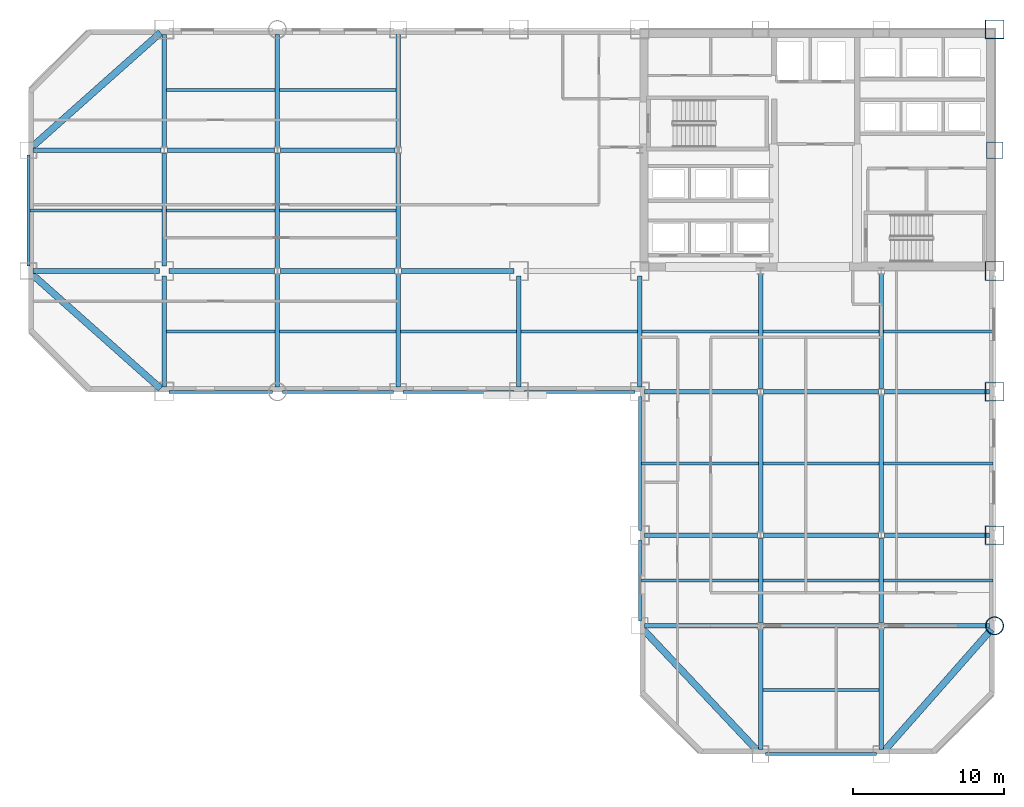
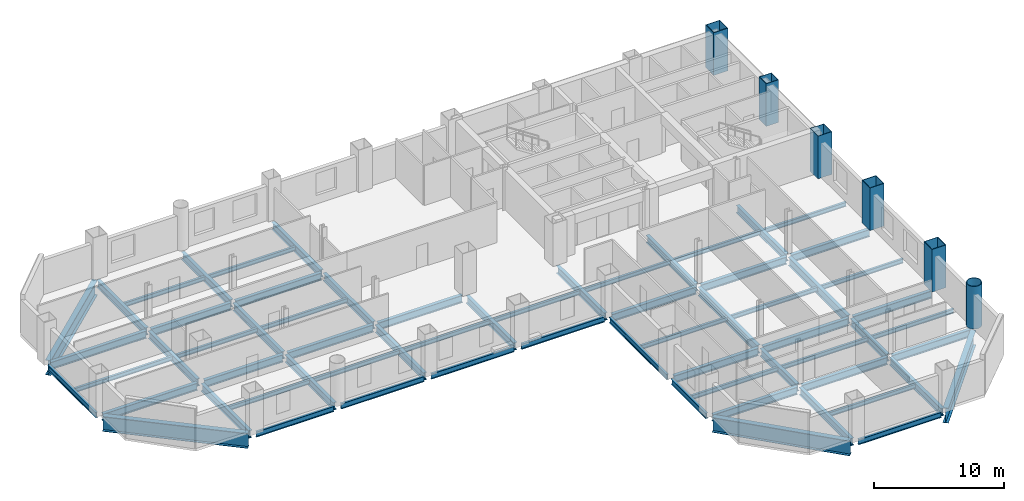
# One storey, part 3 of 9: 66 beams, 6 columns.
"""IFC4 building model written with IfcOpenShell, lengths in metres."""

import ifcopenshell
import ifcopenshell.guid

model = None  # the IFC model being written
_history = None  # IfcOwnerHistory: only IFC2X3 demands one
_inside = {}  # id of a spatial element -> (the spatial element, [elements in it])
_under = {}  # id of a project, library or spatial element -> (it, [spatial elements below it])
_declared = {}  # id of a project -> (the project, [libraries it declares])
_typed = {}  # id of a type object -> (the type object, [elements of that type])
_made_of = {}  # id of a material, layer set ... -> (it, [elements and type objects made of it])


def new_model(schema):
    """Start an empty IFC model of exactly this schema.

    Asked for "IFC4X3", IfcOpenShell would pick the latest addendum, in which some entities
    have other attributes; the version numbers below select the first issue.
    IFC2X3 requires an IfcOwnerHistory on every rooted entity: one is made here for all.
    """
    global model, _history
    if schema == "IFC4X3":
        model = ifcopenshell.file(schema_version=(4, 3, 0, 0))
    else:
        model = ifcopenshell.file(schema=schema)
    _inside.clear()
    _under.clear()
    _declared.clear()
    _typed.clear()
    _made_of.clear()
    _history = None
    if model.schema == "IFC2X3":
        org = make("IfcOrganization", Name="unknown")
        user = make(
            "IfcPersonAndOrganization",
            ThePerson=make("IfcPerson", FamilyName="unknown"),
            TheOrganization=org,
        )
        app = make(
            "IfcApplication",
            ApplicationDeveloper=org,
            Version="unknown",
            ApplicationFullName="unknown",
            ApplicationIdentifier="unknown",
        )
        _history = make(
            "IfcOwnerHistory",
            OwningUser=user,
            OwningApplication=app,
            ChangeAction="ADDED",
            CreationDate=0,
        )
    return model


def make(cls, **values):
    """One entity of the class cls with the attributes given. An attribute that is None is left unset."""
    return model.create_entity(
        cls, **{name: value for name, value in values.items() if value is not None}
    )


def rooted(cls, **values):
    """An entity with a GlobalId (a new one), such as an element, a storey or a relation."""
    return make(cls, GlobalId=ifcopenshell.guid.new(), OwnerHistory=_history, **values)


def si_unit(unit_type, name, prefix=None):
    """IfcSIUnit, for example si_unit("LENGTHUNIT", "METRE", prefix="MILLI")."""
    return make("IfcSIUnit", UnitType=unit_type, Prefix=prefix, Name=name)


def assignment(units):
    """IfcUnitAssignment: the units of a project."""
    return None if units is None else make("IfcUnitAssignment", Units=units)


def point(xyz):
    """IfcCartesianPoint."""
    return None if xyz is None else make("IfcCartesianPoint", Coordinates=xyz)


def direction(xyz):
    """IfcDirection."""
    return None if xyz is None else make("IfcDirection", DirectionRatios=xyz)


def frame(location, z_axis=None, x_axis=None):
    """IfcAxis2Placement3D, a coordinate frame: its origin and axes. An axis left out is left unset."""
    return make(
        "IfcAxis2Placement3D",
        Location=point(location),
        Axis=direction(z_axis),
        RefDirection=direction(x_axis),
    )


def frame_2d(location, x_axis=None):
    """IfcAxis2Placement2D, a coordinate frame in the plane: its origin and x axis."""
    return make(
        "IfcAxis2Placement2D", Location=point(location), RefDirection=direction(x_axis)
    )


def origin():
    """The frame at (0, 0, 0) with its axes left unset."""
    return frame((0.0, 0.0, 0.0))


def origin_2d():
    """The frame at (0, 0) in the plane with its x axis left unset."""
    return frame_2d((0.0, 0.0))


def place(relative_to, where):
    """IfcLocalPlacement: puts the frame where relative to a parent placement (None: the world)."""
    return make(
        "IfcLocalPlacement", PlacementRelTo=relative_to, RelativePlacement=where
    )


def context(
    kind, dimensions, precision=None, world=None, true_north=None, identifier=None
):
    """IfcGeometricRepresentationContext, for example the 3D "Model" context."""
    return make(
        "IfcGeometricRepresentationContext",
        ContextIdentifier=identifier,
        ContextType=kind,
        CoordinateSpaceDimension=dimensions,
        Precision=precision,
        WorldCoordinateSystem=world,
        TrueNorth=true_north,
    )


def subcontext(parent, identifier, kind, view, scale=None):
    """IfcGeometricRepresentationSubContext, for example "Body" below "Model"."""
    return make(
        "IfcGeometricRepresentationSubContext",
        ContextIdentifier=identifier,
        ContextType=kind,
        ParentContext=parent,
        TargetScale=scale,
        TargetView=view,
    )


def project(units=None, contexts=None):
    """IfcProject with its units and contexts."""
    return rooted(
        "IfcProject",
        Name="project",
        RepresentationContexts=contexts,
        UnitsInContext=assignment(units),
    )


def spatial(cls, under=None, at=None, **own):
    """A site, building, storey or space (cls), placed at a placement, below another one or the project."""
    s = rooted(cls, ObjectPlacement=at, **own)
    if under is not None:
        _under.setdefault(under.id(), (under, []))[1].append(s)
    return s


def profile(cls, at=None, kind="AREA", **sizes):
    """A parametric profile (cls). Its sizes go by their IFC names, for example OverallWidth=200.0."""
    return make(cls, ProfileType=kind, Position=at, **sizes)


def hollow_rectangle(**sizes):
    """IfcRectangleHollowProfileDef."""
    return profile("IfcRectangleHollowProfileDef", **sizes)


def hollow_circle(**sizes):
    """IfcCircleHollowProfileDef."""
    return profile("IfcCircleHollowProfileDef", **sizes)


def i_section(**sizes):
    """IfcIShapeProfileDef."""
    return profile("IfcIShapeProfileDef", **sizes)


def extrude(swept, where, along, depth):
    """IfcExtrudedAreaSolid: the profile swept, set in the frame where, extruded along a direction by depth."""
    return make(
        "IfcExtrudedAreaSolid",
        SweptArea=swept,
        Position=where,
        ExtrudedDirection=direction(along),
        Depth=depth,
    )


def shape(context_of_items, identifier, shape_type, items):
    """IfcShapeRepresentation: the items that make up one representation, for example the "Body"."""
    return make(
        "IfcShapeRepresentation",
        ContextOfItems=context_of_items,
        RepresentationIdentifier=identifier,
        RepresentationType=shape_type,
        Items=items,
    )


def material(Name=None, Category=None):
    """IfcMaterial."""
    return make("IfcMaterial", Name=Name, Category=Category)


def material_profile(
    of_material, cross_section, Name=None, Category=None, Priority=None
):
    """IfcMaterialProfile: a cross section and its material."""
    return make(
        "IfcMaterialProfile",
        Name=Name,
        Material=of_material,
        Profile=cross_section,
        Priority=Priority,
        Category=Category,
    )


def profile_set(profiles, Name=None, composite=None):
    """IfcMaterialProfileSet."""
    return make(
        "IfcMaterialProfileSet",
        Name=Name,
        MaterialProfiles=profiles,
        CompositeProfile=composite,
    )


def made_of(thing, what):
    """Note that an element or type object is made of a material, layer set ...; save() writes the relation."""
    if what is not None:
        _made_of.setdefault(what.id(), (what, []))[1].append(thing)
    return thing


def type_object(cls, material=None, **own):
    """A type object (cls), such as IfcWallType, which elements share."""
    return made_of(rooted(cls, **own), material)


def element(
    cls,
    number,
    at=None,
    inside=None,
    cuts=None,
    type_object=None,
    material=None,
    context=None,
    identifier="Body",
    shape_type=None,
    held_by="IfcProductDefinitionShape",
    body=None,
    shapes=None,
    **own,
):
    """One element of the class cls, such as IfcWall. Its Tag is "e" and its number.

    at: its placement. inside: the storey or other place that contains it. cuts: it is an
    opening in that element (IfcRelVoidsElement). A single representation is given by context,
    identifier, shape_type and body (its items); several are given by shapes. held_by: the class
    of the entity that holds the representations. save() writes the other relations.
    """
    e = rooted(cls, Tag="e%d" % number, ObjectPlacement=at, **own)
    if body is not None:
        shapes = [shape(context, identifier, shape_type, body)]
    if shapes is not None:
        e.Representation = make(held_by, Representations=shapes)
    if inside is not None:
        _inside.setdefault(inside.id(), (inside, []))[1].append(e)
    if cuts is not None:
        rooted(
            "IfcRelVoidsElement", RelatingBuildingElement=cuts, RelatedOpeningElement=e
        )
    if type_object is not None:
        _typed.setdefault(type_object.id(), (type_object, []))[1].append(e)
    return made_of(e, material)


def aggregate(whole, parts):
    """IfcRelAggregates: a whole, such as a stair, and the parts it consists of."""
    return rooted("IfcRelAggregates", RelatingObject=whole, RelatedObjects=parts)


def save(model, path):
    """Write the relations noted so far, then the file.

    IfcRelAggregates (storeys below a building ...), IfcRelContainedInSpatialStructure (elements
    in a storey), IfcRelDefinesByType, IfcRelAssociatesMaterial and IfcRelDeclares: one each for
    every whole, place, type object, material and project.
    """
    for whole, parts in _under.values():
        aggregate(whole, parts)
    for where, things in _inside.values():
        rooted(
            "IfcRelContainedInSpatialStructure",
            RelatedElements=things,
            RelatingStructure=where,
        )
    for kind, things in _typed.values():
        rooted("IfcRelDefinesByType", RelatedObjects=things, RelatingType=kind)
    for what, things in _made_of.values():
        rooted("IfcRelAssociatesMaterial", RelatedObjects=things, RelatingMaterial=what)
    for by, libraries in _declared.values():
        rooted("IfcRelDeclares", RelatingContext=by, RelatedDefinitions=libraries)
    model.write(path)


model = new_model("IFC4")

# Units and contexts
model_context = context("Model", 3, precision=1e-05, world=origin(), true_north=direction((0.0, 1.0)))
body_context = subcontext(model_context, "Body", "Model", "MODEL_VIEW")
ifc_project = project(units=[si_unit("LENGTHUNIT", "METRE"), si_unit("AREAUNIT", "SQUARE_METRE"), si_unit("VOLUMEUNIT", "CUBIC_METRE"), si_unit("PLANEANGLEUNIT", "RADIAN"), si_unit("MASSUNIT", "GRAM", prefix="KILO")], contexts=[model_context])

# Site, building, storey
site_placement = place(None, origin())
site = spatial("IfcSite", under=ifc_project, at=site_placement, CompositionType="ELEMENT")
building_placement = place(site_placement, origin())
building = spatial("IfcBuilding", under=site, at=building_placement, Name="Qianrong Seaharbour Tower", CompositionType="ELEMENT")
storey_placement = place(building_placement, frame((0.0, 0.0, 68.199951171875)))
storey = spatial("IfcBuildingStorey", under=building, at=storey_placement, Name="L16", CompositionType="ELEMENT", Elevation=68.199951171875)

# Columns
ifc_material_1 = material(Name="Structural steel SN490B", Category="steel")
ifc_material_profile_1 = material_profile(ifc_material_1, hollow_rectangle(XDim=1.25, YDim=1.25, WallThickness=0.044921875, at=origin_2d()), Name="BOX1250x1250x45")
ifc_profile_set_1 = profile_set([ifc_material_profile_1], Name="Structural steel SN490B")
column_type_1 = type_object("IfcColumnType", Name="COL-CFT-1250", PredefinedType="COLUMN", material=ifc_profile_set_1)
for number, where, z_axis, x_axis, name in (
    (1, (64.0, 18.5, 0.0), (0.0, 0.0, 1.0), (1.0, 0.0, 0.0), "L16 Column MC-2 at G9/GD"),
    (2, (64.0, 28.0, 0.0), (0.0, 0.0, 1.0), (1.0, 0.0, 0.0), "L16 Column MC-2 at G9/GE"),
    (3, (64.0, 36.0, 0.0), (0.0, 0.0, 1.0), (1.0, 0.0, 0.0), "L16 Column MC-2 at G9/GF"),
    (4, (64.0, 52.0, 0.0), (0.0, 0.0, 1.0), (1.0, 0.0, 0.0), "L16 Column MC-2 at G9/GH"),
):
    element("IfcColumn", number, at=place(storey_placement, frame(where, z_axis=z_axis, x_axis=x_axis)), inside=storey, type_object=column_type_1, Name=name, PredefinedType="COLUMN", context=body_context, shape_type="SweptSolid", body=[
        extrude(hollow_rectangle(XDim=1.25, YDim=1.25, WallThickness=0.044921875, at=origin_2d()), origin(), (0.0, 0.0, 1.0), 4.0),
    ])
ifc_material_profile_2 = material_profile(ifc_material_1, hollow_circle(Radius=0.60009765625, WallThickness=0.0400390625, at=origin_2d()), Name="CHS1200x40")
ifc_profile_set_2 = profile_set([ifc_material_profile_2], Name="Structural steel SN490B")
column_type_2 = type_object("IfcColumnType", Name="COL-CHS-1200", PredefinedType="COLUMN", material=ifc_profile_set_2)
column_1_placement = place(storey_placement, frame((64.0, 12.5, 0.0), z_axis=(0.0, 0.0, 1.0), x_axis=(1.0, 0.0, 0.0)))
element("IfcColumn", 5, at=column_1_placement, inside=storey, type_object=column_type_2, Name="L16 Column CC-1 at G9/GC", PredefinedType="COLUMN", context=body_context, shape_type="SweptSolid", body=[
    extrude(hollow_circle(Radius=0.60009765625, WallThickness=0.0400390625, at=origin_2d()), origin(), (0.0, 0.0, 1.0), 4.0),
])
ifc_material_profile_3 = material_profile(ifc_material_1, hollow_rectangle(XDim=1.10009765625, YDim=1.10009765625, WallThickness=0.0400390625, at=origin_2d()), Name="BOX1100x1100x40")
ifc_profile_set_3 = profile_set([ifc_material_profile_3], Name="Structural steel SN490B")
column_type_3 = type_object("IfcColumnType", Name="COL-PER-1100", PredefinedType="COLUMN", material=ifc_profile_set_3)
column_2_placement = place(storey_placement, frame((64.0, 44.0, 0.0), z_axis=(0.0, 0.0, 1.0), x_axis=(1.0, 0.0, 0.0)))
element("IfcColumn", 6, at=column_2_placement, inside=storey, type_object=column_type_3, Name="L16 Column PC-1 at G9/GG", PredefinedType="COLUMN", context=body_context, shape_type="SweptSolid", body=[
    extrude(hollow_rectangle(XDim=1.10009765625, YDim=1.10009765625, WallThickness=0.0400390625, at=origin_2d()), origin(), (0.0, 0.0, 1.0), 4.0),
])

# Beams
ifc_material_profile_4 = material_profile(ifc_material_1, i_section(OverallWidth=0.300048828125, OverallDepth=0.699951171875, WebThickness=0.012939453125, FlangeThickness=0.02392578125, FilletRadius=0.02587890625, at=origin_2d()), Name="H700x300x13x24")
ifc_profile_set_4 = profile_set([ifc_material_profile_4], Name="Structural steel SN490B")
beam_type_1 = type_object("IfcBeamType", Name="BM-G-700", PredefinedType="BEAM", material=ifc_profile_set_4)
beam_1_placement = place(storey_placement, frame((40.820068359375, 12.5, -0.599853515625), z_axis=(1.0, 0.0, 0.0), x_axis=(0.0, 1.0, 0.0)))
element("IfcBeam", 7, at=beam_1_placement, inside=storey, type_object=beam_type_1, Name="L16 Primary Girder GC G6-G7", PredefinedType="BEAM", context=body_context, shape_type="SweptSolid", body=[
    extrude(i_section(OverallWidth=0.300048828125, OverallDepth=0.699951171875, WebThickness=0.012939453125, FlangeThickness=0.02392578125, FilletRadius=0.02587890625, at=origin_2d()), origin(), (0.0, 0.0, 1.0), 7.476318359375),
])
beam_2_placement = place(storey_placement, frame((48.70361328125, 12.5, -0.599853515625), z_axis=(1.0, 0.0, 0.0), x_axis=(0.0, 1.0, 0.0)))
element("IfcBeam", 8, at=beam_2_placement, inside=storey, type_object=beam_type_1, Name="L16 Primary Girder GC G7-G8", PredefinedType="BEAM", context=body_context, shape_type="SweptSolid", body=[
    extrude(i_section(OverallWidth=0.300048828125, OverallDepth=0.699951171875, WebThickness=0.012939453125, FlangeThickness=0.02392578125, FilletRadius=0.02587890625, at=origin_2d()), origin(), (0.0, 0.0, 1.0), 7.5927734375),
])
beam_3_placement = place(storey_placement, frame((56.70361328125, 12.5, -0.599853515625), z_axis=(1.0, 0.0, 0.0), x_axis=(0.0, 1.0, 0.0)))
element("IfcBeam", 9, at=beam_3_placement, inside=storey, type_object=beam_type_1, Name="L16 Primary Girder GC G8-G9", PredefinedType="BEAM", context=body_context, shape_type="SweptSolid", body=[
    extrude(i_section(OverallWidth=0.300048828125, OverallDepth=0.699951171875, WebThickness=0.012939453125, FlangeThickness=0.02392578125, FilletRadius=0.02587890625, at=origin_2d()), origin(), (0.0, 0.0, 1.0), 6.976318359375),
])
beam_4_placement = place(storey_placement, frame((40.820068359375, 18.5, -0.599853515625), z_axis=(1.0, 0.0, 0.0), x_axis=(0.0, 1.0, 0.0)))
element("IfcBeam", 10, at=beam_4_placement, inside=storey, type_object=beam_type_1, Name="L16 Primary Girder GD G6-G7", PredefinedType="BEAM", context=body_context, shape_type="SweptSolid", body=[
    extrude(i_section(OverallWidth=0.300048828125, OverallDepth=0.699951171875, WebThickness=0.012939453125, FlangeThickness=0.02392578125, FilletRadius=0.02587890625, at=origin_2d()), origin(), (0.0, 0.0, 1.0), 7.476318359375),
])
beam_5_placement = place(storey_placement, frame((48.70361328125, 18.5, -0.599853515625), z_axis=(1.0, 0.0, 0.0), x_axis=(0.0, 1.0, 0.0)))
element("IfcBeam", 11, at=beam_5_placement, inside=storey, type_object=beam_type_1, Name="L16 Primary Girder GD G7-G8", PredefinedType="BEAM", context=body_context, shape_type="SweptSolid", body=[
    extrude(i_section(OverallWidth=0.300048828125, OverallDepth=0.699951171875, WebThickness=0.012939453125, FlangeThickness=0.02392578125, FilletRadius=0.02587890625, at=origin_2d()), origin(), (0.0, 0.0, 1.0), 7.5927734375),
])
beam_6_placement = place(storey_placement, frame((56.70361328125, 18.5, -0.599853515625), z_axis=(1.0, 0.0, 0.0), x_axis=(0.0, 1.0, 0.0)))
element("IfcBeam", 12, at=beam_6_placement, inside=storey, type_object=beam_type_1, Name="L16 Primary Girder GD G8-G9", PredefinedType="BEAM", context=body_context, shape_type="SweptSolid", body=[
    extrude(i_section(OverallWidth=0.300048828125, OverallDepth=0.699951171875, WebThickness=0.012939453125, FlangeThickness=0.02392578125, FilletRadius=0.02587890625, at=origin_2d()), origin(), (0.0, 0.0, 1.0), 6.976318359375),
])
beam_7_placement = place(storey_placement, frame((40.820068359375, 28.0, -0.599853515625), z_axis=(1.0, 0.0, 0.0), x_axis=(0.0, 1.0, 0.0)))
element("IfcBeam", 13, at=beam_7_placement, inside=storey, type_object=beam_type_1, Name="L16 Primary Girder GE G6-G7", PredefinedType="BEAM", context=body_context, shape_type="SweptSolid", body=[
    extrude(i_section(OverallWidth=0.300048828125, OverallDepth=0.699951171875, WebThickness=0.012939453125, FlangeThickness=0.02392578125, FilletRadius=0.02587890625, at=origin_2d()), origin(), (0.0, 0.0, 1.0), 7.476318359375),
])
beam_8_placement = place(storey_placement, frame((48.70361328125, 28.0, -0.599853515625), z_axis=(1.0, 0.0, 0.0), x_axis=(0.0, 1.0, 0.0)))
element("IfcBeam", 14, at=beam_8_placement, inside=storey, type_object=beam_type_1, Name="L16 Primary Girder GE G7-G8", PredefinedType="BEAM", context=body_context, shape_type="SweptSolid", body=[
    extrude(i_section(OverallWidth=0.300048828125, OverallDepth=0.699951171875, WebThickness=0.012939453125, FlangeThickness=0.02392578125, FilletRadius=0.02587890625, at=origin_2d()), origin(), (0.0, 0.0, 1.0), 7.5927734375),
])
beam_9_placement = place(storey_placement, frame((56.70361328125, 28.0, -0.599853515625), z_axis=(1.0, 0.0, 0.0), x_axis=(0.0, 1.0, 0.0)))
element("IfcBeam", 15, at=beam_9_placement, inside=storey, type_object=beam_type_1, Name="L16 Primary Girder GE G8-G9", PredefinedType="BEAM", context=body_context, shape_type="SweptSolid", body=[
    extrude(i_section(OverallWidth=0.300048828125, OverallDepth=0.699951171875, WebThickness=0.012939453125, FlangeThickness=0.02392578125, FilletRadius=0.02587890625, at=origin_2d()), origin(), (0.0, 0.0, 1.0), 6.976318359375),
])
beam_10_placement = place(storey_placement, frame((0.320068359375, 36.0, -0.599853515625), z_axis=(1.0, 0.0, 0.0), x_axis=(0.0, 1.0, 0.0)))
element("IfcBeam", 16, at=beam_10_placement, inside=storey, type_object=beam_type_1, Name="L16 Primary Girder GF G1-G2", PredefinedType="BEAM", context=body_context, shape_type="SweptSolid", body=[
    extrude(i_section(OverallWidth=0.300048828125, OverallDepth=0.699951171875, WebThickness=0.012939453125, FlangeThickness=0.02392578125, FilletRadius=0.02587890625, at=origin_2d()), origin(), (0.0, 0.0, 1.0), 8.35986328125),
])
beam_11_placement = place(storey_placement, frame((9.320068359375, 36.0, -0.599853515625), z_axis=(1.0, 0.0, 0.0), x_axis=(0.0, 1.0, 0.0)))
element("IfcBeam", 17, at=beam_11_placement, inside=storey, type_object=beam_type_1, Name="L16 Primary Girder GF G2-G3", PredefinedType="BEAM", context=body_context, shape_type="SweptSolid", body=[
    extrude(i_section(OverallWidth=0.300048828125, OverallDepth=0.699951171875, WebThickness=0.012939453125, FlangeThickness=0.02392578125, FilletRadius=0.02587890625, at=origin_2d()), origin(), (0.0, 0.0, 1.0), 6.976318359375),
])
beam_12_placement = place(storey_placement, frame((16.70361328125, 36.0, -0.599853515625), z_axis=(1.0, 0.0, 0.0), x_axis=(0.0, 1.0, 0.0)))
element("IfcBeam", 18, at=beam_12_placement, inside=storey, type_object=beam_type_1, Name="L16 Primary Girder GF G3-G4", PredefinedType="BEAM", context=body_context, shape_type="SweptSolid", body=[
    extrude(i_section(OverallWidth=0.300048828125, OverallDepth=0.699951171875, WebThickness=0.012939453125, FlangeThickness=0.02392578125, FilletRadius=0.02587890625, at=origin_2d()), origin(), (0.0, 0.0, 1.0), 7.5927734375),
])
beam_13_placement = place(storey_placement, frame((24.70361328125, 36.0, -0.599853515625), z_axis=(1.0, 0.0, 0.0), x_axis=(0.0, 1.0, 0.0)))
element("IfcBeam", 19, at=beam_13_placement, inside=storey, type_object=beam_type_1, Name="L16 Primary Girder GF G4-G5", PredefinedType="BEAM", context=body_context, shape_type="SweptSolid", body=[
    extrude(i_section(OverallWidth=0.300048828125, OverallDepth=0.699951171875, WebThickness=0.012939453125, FlangeThickness=0.02392578125, FilletRadius=0.02587890625, at=origin_2d()), origin(), (0.0, 0.0, 1.0), 7.476318359375),
])
beam_14_placement = place(storey_placement, frame((0.320068359375, 44.0, -0.599853515625), z_axis=(1.0, 0.0, 0.0), x_axis=(0.0, 1.0, 0.0)))
element("IfcBeam", 20, at=beam_14_placement, inside=storey, type_object=beam_type_1, Name="L16 Primary Girder GG G1-G2", PredefinedType="BEAM", context=body_context, shape_type="SweptSolid", body=[
    extrude(i_section(OverallWidth=0.300048828125, OverallDepth=0.699951171875, WebThickness=0.012939453125, FlangeThickness=0.02392578125, FilletRadius=0.02587890625, at=origin_2d()), origin(), (0.0, 0.0, 1.0), 8.476318359375),
])
beam_15_placement = place(storey_placement, frame((9.20361328125, 44.0, -0.599853515625), z_axis=(1.0, 0.0, 0.0), x_axis=(0.0, 1.0, 0.0)))
element("IfcBeam", 21, at=beam_15_placement, inside=storey, type_object=beam_type_1, Name="L16 Primary Girder GG G2-G3", PredefinedType="BEAM", context=body_context, shape_type="SweptSolid", body=[
    extrude(i_section(OverallWidth=0.300048828125, OverallDepth=0.699951171875, WebThickness=0.012939453125, FlangeThickness=0.02392578125, FilletRadius=0.02587890625, at=origin_2d()), origin(), (0.0, 0.0, 1.0), 7.0927734375),
])
beam_16_placement = place(storey_placement, frame((16.70361328125, 44.0, -0.599853515625), z_axis=(1.0, 0.0, 0.0), x_axis=(0.0, 1.0, 0.0)))
element("IfcBeam", 22, at=beam_16_placement, inside=storey, type_object=beam_type_1, Name="L16 Primary Girder GG G3-G4", PredefinedType="BEAM", context=body_context, shape_type="SweptSolid", body=[
    extrude(i_section(OverallWidth=0.300048828125, OverallDepth=0.699951171875, WebThickness=0.012939453125, FlangeThickness=0.02392578125, FilletRadius=0.02587890625, at=origin_2d()), origin(), (0.0, 0.0, 1.0), 7.5927734375),
])
beam_17_placement = place(storey_placement, frame((9.0, 28.320068359375, -0.599853515625), z_axis=(0.0, 1.0, 0.0), x_axis=(-1.0, 0.0, 0.0)))
element("IfcBeam", 23, at=beam_17_placement, inside=storey, type_object=beam_type_1, Name="L16 Primary Girder G2 GE-GF", PredefinedType="BEAM", context=body_context, shape_type="SweptSolid", body=[
    extrude(i_section(OverallWidth=0.300048828125, OverallDepth=0.699951171875, WebThickness=0.012939453125, FlangeThickness=0.02392578125, FilletRadius=0.02587890625, at=origin_2d()), origin(), (0.0, 0.0, 1.0), 7.35986328125),
])
for number, where, z_axis, x_axis, name in (
    (24, (9.0, 36.320068359375, -0.599853515625), (0.0, 1.0, 0.0), (-1.0, 0.0, 0.0), "L16 Primary Girder G2 GF-GG"),
    (25, (9.0, 44.214111328125, -0.599853515625), (0.0, 1.0, 0.0), (-1.0, 0.0, 0.0), "L16 Primary Girder G2 GG-GH"),
    (26, (16.5, 28.320068359375, -0.599853515625), (0.0, 1.0, 0.0), (-1.0, 0.0, 0.0), "L16 Primary Girder G3 GE-GF"),
):
    element("IfcBeam", number, at=place(storey_placement, frame(where, z_axis=z_axis, x_axis=x_axis)), inside=storey, type_object=beam_type_1, Name=name, PredefinedType="BEAM", context=body_context, shape_type="SweptSolid", body=[
        extrude(i_section(OverallWidth=0.300048828125, OverallDepth=0.699951171875, WebThickness=0.012939453125, FlangeThickness=0.02392578125, FilletRadius=0.02587890625, at=origin_2d()), origin(), (0.0, 0.0, 1.0), 7.4658203125),
    ])
beam_18_placement = place(storey_placement, frame((16.5, 36.214111328125, -0.599853515625), z_axis=(0.0, 1.0, 0.0), x_axis=(-1.0, 0.0, 0.0)))
element("IfcBeam", 27, at=beam_18_placement, inside=storey, type_object=beam_type_1, Name="L16 Primary Girder G3 GF-GG", PredefinedType="BEAM", context=body_context, shape_type="SweptSolid", body=[
    extrude(i_section(OverallWidth=0.300048828125, OverallDepth=0.699951171875, WebThickness=0.012939453125, FlangeThickness=0.02392578125, FilletRadius=0.02587890625, at=origin_2d()), origin(), (0.0, 0.0, 1.0), 7.57177734375),
])
for number, where, z_axis, x_axis, name in (
    (28, (16.5, 44.214111328125, -0.599853515625), (0.0, 1.0, 0.0), (-1.0, 0.0, 0.0), "L16 Primary Girder G3 GG-GH"),
    (29, (24.5, 28.320068359375, -0.599853515625), (0.0, 1.0, 0.0), (-1.0, 0.0, 0.0), "L16 Primary Girder G4 GE-GF"),
):
    element("IfcBeam", number, at=place(storey_placement, frame(where, z_axis=z_axis, x_axis=x_axis)), inside=storey, type_object=beam_type_1, Name=name, PredefinedType="BEAM", context=body_context, shape_type="SweptSolid", body=[
        extrude(i_section(OverallWidth=0.300048828125, OverallDepth=0.699951171875, WebThickness=0.012939453125, FlangeThickness=0.02392578125, FilletRadius=0.02587890625, at=origin_2d()), origin(), (0.0, 0.0, 1.0), 7.4658203125),
    ])
beam_19_placement = place(storey_placement, frame((24.5, 36.214111328125, -0.599853515625), z_axis=(0.0, 1.0, 0.0), x_axis=(-1.0, 0.0, 0.0)))
element("IfcBeam", 30, at=beam_19_placement, inside=storey, type_object=beam_type_1, Name="L16 Primary Girder G4 GF-GG", PredefinedType="BEAM", context=body_context, shape_type="SweptSolid", body=[
    extrude(i_section(OverallWidth=0.300048828125, OverallDepth=0.699951171875, WebThickness=0.012939453125, FlangeThickness=0.02392578125, FilletRadius=0.02587890625, at=origin_2d()), origin(), (0.0, 0.0, 1.0), 7.57177734375),
])
beam_20_placement = place(storey_placement, frame((24.5, 44.214111328125, -0.599853515625), z_axis=(0.0, 1.0, 0.0), x_axis=(-1.0, 0.0, 0.0)))
element("IfcBeam", 31, at=beam_20_placement, inside=storey, type_object=beam_type_1, Name="L16 Primary Girder G4 GG-GH", PredefinedType="BEAM", context=body_context, shape_type="SweptSolid", body=[
    extrude(i_section(OverallWidth=0.300048828125, OverallDepth=0.699951171875, WebThickness=0.012939453125, FlangeThickness=0.02392578125, FilletRadius=0.02587890625, at=origin_2d()), origin(), (0.0, 0.0, 1.0), 7.4658203125),
])
for number, where, z_axis, x_axis, name in (
    (32, (32.5, 28.320068359375, -0.599853515625), (0.0, 1.0, 0.0), (-1.0, 0.0, 0.0), "L16 Primary Girder G5 GE-GF"),
    (33, (40.5, 28.320068359375, -0.599853515625), (0.0, 1.0, 0.0), (-1.0, 0.0, 0.0), "L16 Primary Girder G6 GE-GF"),
):
    element("IfcBeam", number, at=place(storey_placement, frame(where, z_axis=z_axis, x_axis=x_axis)), inside=storey, type_object=beam_type_1, Name=name, PredefinedType="BEAM", context=body_context, shape_type="SweptSolid", body=[
        extrude(i_section(OverallWidth=0.300048828125, OverallDepth=0.699951171875, WebThickness=0.012939453125, FlangeThickness=0.02392578125, FilletRadius=0.02587890625, at=origin_2d()), origin(), (0.0, 0.0, 1.0), 7.35986328125),
    ])
beam_21_placement = place(storey_placement, frame((48.5, 4.320068359375, -0.599853515625), z_axis=(0.0, 1.0, 0.0), x_axis=(-1.0, 0.0, 0.0)))
element("IfcBeam", 34, at=beam_21_placement, inside=storey, type_object=beam_type_1, Name="L16 Primary Girder G7 GB-GC", PredefinedType="BEAM", context=body_context, shape_type="SweptSolid", body=[
    extrude(i_section(OverallWidth=0.300048828125, OverallDepth=0.699951171875, WebThickness=0.012939453125, FlangeThickness=0.02392578125, FilletRadius=0.02587890625, at=origin_2d()), origin(), (0.0, 0.0, 1.0), 7.9658203125),
])
beam_22_placement = place(storey_placement, frame((48.5, 12.714111328125, -0.599853515625), z_axis=(0.0, 1.0, 0.0), x_axis=(-1.0, 0.0, 0.0)))
element("IfcBeam", 35, at=beam_22_placement, inside=storey, type_object=beam_type_1, Name="L16 Primary Girder G7 GC-GD", PredefinedType="BEAM", context=body_context, shape_type="SweptSolid", body=[
    extrude(i_section(OverallWidth=0.300048828125, OverallDepth=0.699951171875, WebThickness=0.012939453125, FlangeThickness=0.02392578125, FilletRadius=0.02587890625, at=origin_2d()), origin(), (0.0, 0.0, 1.0), 5.57177734375),
])
beam_23_placement = place(storey_placement, frame((48.5, 28.214111328125, -0.599853515625), z_axis=(0.0, 1.0, 0.0), x_axis=(-1.0, 0.0, 0.0)))
element("IfcBeam", 36, at=beam_23_placement, inside=storey, type_object=beam_type_1, Name="L16 Primary Girder G7 GE-GF", PredefinedType="BEAM", context=body_context, shape_type="SweptSolid", body=[
    extrude(i_section(OverallWidth=0.300048828125, OverallDepth=0.699951171875, WebThickness=0.012939453125, FlangeThickness=0.02392578125, FilletRadius=0.02587890625, at=origin_2d()), origin(), (0.0, 0.0, 1.0), 7.57177734375),
])
beam_24_placement = place(storey_placement, frame((56.5, 4.320068359375, -0.599853515625), z_axis=(0.0, 1.0, 0.0), x_axis=(-1.0, 0.0, 0.0)))
element("IfcBeam", 37, at=beam_24_placement, inside=storey, type_object=beam_type_1, Name="L16 Primary Girder G8 GB-GC", PredefinedType="BEAM", context=body_context, shape_type="SweptSolid", body=[
    extrude(i_section(OverallWidth=0.300048828125, OverallDepth=0.699951171875, WebThickness=0.012939453125, FlangeThickness=0.02392578125, FilletRadius=0.02587890625, at=origin_2d()), origin(), (0.0, 0.0, 1.0), 7.9658203125),
])
beam_25_placement = place(storey_placement, frame((56.5, 12.714111328125, -0.599853515625), z_axis=(0.0, 1.0, 0.0), x_axis=(-1.0, 0.0, 0.0)))
element("IfcBeam", 38, at=beam_25_placement, inside=storey, type_object=beam_type_1, Name="L16 Primary Girder G8 GC-GD", PredefinedType="BEAM", context=body_context, shape_type="SweptSolid", body=[
    extrude(i_section(OverallWidth=0.300048828125, OverallDepth=0.699951171875, WebThickness=0.012939453125, FlangeThickness=0.02392578125, FilletRadius=0.02587890625, at=origin_2d()), origin(), (0.0, 0.0, 1.0), 5.57177734375),
])
beam_26_placement = place(storey_placement, frame((56.5, 28.214111328125, -0.599853515625), z_axis=(0.0, 1.0, 0.0), x_axis=(-1.0, 0.0, 0.0)))
element("IfcBeam", 39, at=beam_26_placement, inside=storey, type_object=beam_type_1, Name="L16 Primary Girder G8 GE-GF", PredefinedType="BEAM", context=body_context, shape_type="SweptSolid", body=[
    extrude(i_section(OverallWidth=0.300048828125, OverallDepth=0.699951171875, WebThickness=0.012939453125, FlangeThickness=0.02392578125, FilletRadius=0.02587890625, at=origin_2d()), origin(), (0.0, 0.0, 1.0), 7.57177734375),
])
ifc_material_profile_5 = material_profile(ifc_material_1, i_section(OverallWidth=0.300048828125, OverallDepth=0.800048828125, WebThickness=0.013916015625, FlangeThickness=0.02587890625, FilletRadius=0.028076171875, at=origin_2d()), Name="H800x300x14x26")
ifc_profile_set_5 = profile_set([ifc_material_profile_5], Name="Structural steel SN490B")
beam_type_2 = type_object("IfcBeamType", Name="BM-G-800", PredefinedType="BEAM", material=ifc_profile_set_5)
for number, where, z_axis, x_axis, name in (
    (40, (48.5, 18.714111328125, -0.64990234375), (0.0, 1.0, 0.0), (-1.0, 0.0, 0.0), "L16 Primary Girder G7 GD-GE"),
    (41, (56.5, 18.714111328125, -0.64990234375), (0.0, 1.0, 0.0), (-1.0, 0.0, 0.0), "L16 Primary Girder G8 GD-GE"),
):
    element("IfcBeam", number, at=place(storey_placement, frame(where, z_axis=z_axis, x_axis=x_axis)), inside=storey, type_object=beam_type_2, Name=name, PredefinedType="BEAM", context=body_context, shape_type="SweptSolid", body=[
        extrude(i_section(OverallWidth=0.300048828125, OverallDepth=0.800048828125, WebThickness=0.013916015625, FlangeThickness=0.02587890625, FilletRadius=0.028076171875, at=origin_2d()), origin(), (0.0, 0.0, 1.0), 9.07177734375),
    ])
ifc_material_2 = material(Name="Structural steel SN400B", Category="steel")
ifc_material_profile_6 = material_profile(ifc_material_2, i_section(OverallWidth=0.199951171875, OverallDepth=0.39990234375, WebThickness=0.008056640625, FlangeThickness=0.012939453125, FilletRadius=0.01611328125, at=origin_2d()), Name="H400x200x8x13")
ifc_profile_set_6 = profile_set([ifc_material_profile_6], Name="Structural steel SN400B")
beam_type_3 = type_object("IfcBeamType", Name="BM-J-400", PredefinedType="JOIST", material=ifc_profile_set_6)
beam_27_placement = place(storey_placement, frame((0.10009765625, 40.0, -0.449951171875), z_axis=(1.0, 0.0, 0.0), x_axis=(0.0, 1.0, 0.0)))
element("IfcBeam", 42, at=beam_27_placement, inside=storey, type_object=beam_type_3, Name="L16 Composite Floor Joist G1-G2/GF-GG", PredefinedType="JOIST", context=body_context, shape_type="SweptSolid", body=[
    extrude(i_section(OverallWidth=0.199951171875, OverallDepth=0.39990234375, WebThickness=0.008056640625, FlangeThickness=0.012939453125, FilletRadius=0.01611328125, at=origin_2d()), origin(), (0.0, 0.0, 1.0), 8.75),
])
for number, where, z_axis, x_axis, name in (
    (43, (9.14990234375, 32.0, -0.449951171875), (1.0, 0.0, 0.0), (0.0, 1.0, 0.0), "L16 Composite Floor Joist G2-G3/GE-GF"),
    (44, (9.14990234375, 40.0, -0.449951171875), (1.0, 0.0, 0.0), (0.0, 1.0, 0.0), "L16 Composite Floor Joist G2-G3/GF-GG"),
    (45, (9.14990234375, 48.0, -0.449951171875), (1.0, 0.0, 0.0), (0.0, 1.0, 0.0), "L16 Composite Floor Joist G2-G3/GG-GH"),
):
    element("IfcBeam", number, at=place(storey_placement, frame(where, z_axis=z_axis, x_axis=x_axis)), inside=storey, type_object=beam_type_3, Name=name, PredefinedType="JOIST", context=body_context, shape_type="SweptSolid", body=[
        extrude(i_section(OverallWidth=0.199951171875, OverallDepth=0.39990234375, WebThickness=0.008056640625, FlangeThickness=0.012939453125, FilletRadius=0.01611328125, at=origin_2d()), origin(), (0.0, 0.0, 1.0), 7.2001953125),
    ])
for number, where, z_axis, x_axis, name in (
    (46, (16.64990234375, 32.0, -0.449951171875), (1.0, 0.0, 0.0), (0.0, 1.0, 0.0), "L16 Composite Floor Joist G3-G4/GE-GF"),
    (47, (16.64990234375, 40.0, -0.449951171875), (1.0, 0.0, 0.0), (0.0, 1.0, 0.0), "L16 Composite Floor Joist G3-G4/GF-GG"),
    (48, (16.64990234375, 48.0, -0.449951171875), (1.0, 0.0, 0.0), (0.0, 1.0, 0.0), "L16 Composite Floor Joist G3-G4/GG-GH"),
    (49, (24.64990234375, 32.0, -0.449951171875), (1.0, 0.0, 0.0), (0.0, 1.0, 0.0), "L16 Composite Floor Joist G4-G5/GE-GF"),
    (50, (32.64990234375, 32.0, -0.449951171875), (1.0, 0.0, 0.0), (0.0, 1.0, 0.0), "L16 Composite Floor Joist G5-G6/GE-GF"),
):
    element("IfcBeam", number, at=place(storey_placement, frame(where, z_axis=z_axis, x_axis=x_axis)), inside=storey, type_object=beam_type_3, Name=name, PredefinedType="JOIST", context=body_context, shape_type="SweptSolid", body=[
        extrude(i_section(OverallWidth=0.199951171875, OverallDepth=0.39990234375, WebThickness=0.008056640625, FlangeThickness=0.012939453125, FilletRadius=0.01611328125, at=origin_2d()), origin(), (0.0, 0.0, 1.0), 7.7001953125),
    ])
for number, where, z_axis, x_axis, name in (
    (51, (40.60009765625, 15.5, -0.449951171875), (1.0, 0.0, 0.0), (0.0, 1.0, 0.0), "L16 Composite Floor Joist G6-G7/GC-GD"),
    (52, (40.60009765625, 23.25, -0.449951171875), (1.0, 0.0, 0.0), (0.0, 1.0, 0.0), "L16 Composite Floor Joist G6-G7/GD-GE"),
):
    element("IfcBeam", number, at=place(storey_placement, frame(where, z_axis=z_axis, x_axis=x_axis)), inside=storey, type_object=beam_type_3, Name=name, PredefinedType="JOIST", context=body_context, shape_type="SweptSolid", body=[
        extrude(i_section(OverallWidth=0.199951171875, OverallDepth=0.39990234375, WebThickness=0.008056640625, FlangeThickness=0.012939453125, FilletRadius=0.01611328125, at=origin_2d()), origin(), (0.0, 0.0, 1.0), 7.75),
    ])
for number, where, z_axis, x_axis, name in (
    (53, (40.64990234375, 32.0, -0.449951171875), (1.0, 0.0, 0.0), (0.0, 1.0, 0.0), "L16 Composite Floor Joist G6-G7/GE-GF"),
    (54, (48.64990234375, 8.25, -0.449951171875), (1.0, 0.0, 0.0), (0.0, 1.0, 0.0), "L16 Composite Floor Joist G7-G8/GB-GC"),
    (55, (48.64990234375, 15.5, -0.449951171875), (1.0, 0.0, 0.0), (0.0, 1.0, 0.0), "L16 Composite Floor Joist G7-G8/GC-GD"),
    (56, (48.64990234375, 23.25, -0.449951171875), (1.0, 0.0, 0.0), (0.0, 1.0, 0.0), "L16 Composite Floor Joist G7-G8/GD-GE"),
    (57, (48.64990234375, 32.0, -0.449951171875), (1.0, 0.0, 0.0), (0.0, 1.0, 0.0), "L16 Composite Floor Joist G7-G8/GE-GF"),
):
    element("IfcBeam", number, at=place(storey_placement, frame(where, z_axis=z_axis, x_axis=x_axis)), inside=storey, type_object=beam_type_3, Name=name, PredefinedType="JOIST", context=body_context, shape_type="SweptSolid", body=[
        extrude(i_section(OverallWidth=0.199951171875, OverallDepth=0.39990234375, WebThickness=0.008056640625, FlangeThickness=0.012939453125, FilletRadius=0.01611328125, at=origin_2d()), origin(), (0.0, 0.0, 1.0), 7.7001953125),
    ])
for number, where, z_axis, x_axis, name in (
    (58, (56.64990234375, 15.5, -0.449951171875), (1.0, 0.0, 0.0), (0.0, 1.0, 0.0), "L16 Composite Floor Joist G8-G9/GC-GD"),
    (59, (56.64990234375, 23.25, -0.449951171875), (1.0, 0.0, 0.0), (0.0, 1.0, 0.0), "L16 Composite Floor Joist G8-G9/GD-GE"),
    (60, (56.64990234375, 32.0, -0.449951171875), (1.0, 0.0, 0.0), (0.0, 1.0, 0.0), "L16 Composite Floor Joist G8-G9/GE-GF"),
):
    element("IfcBeam", number, at=place(storey_placement, frame(where, z_axis=z_axis, x_axis=x_axis)), inside=storey, type_object=beam_type_3, Name=name, PredefinedType="JOIST", context=body_context, shape_type="SweptSolid", body=[
        extrude(i_section(OverallWidth=0.199951171875, OverallDepth=0.39990234375, WebThickness=0.008056640625, FlangeThickness=0.012939453125, FilletRadius=0.01611328125, at=origin_2d()), origin(), (0.0, 0.0, 1.0), 7.25),
    ])
ifc_material_profile_7 = material_profile(ifc_material_1, i_section(OverallWidth=0.199951171875, OverallDepth=0.5, WebThickness=0.010009765625, FlangeThickness=0.01611328125, FilletRadius=0.02001953125, at=origin_2d()), Name="H500x200x10x16")
ifc_profile_set_7 = profile_set([ifc_material_profile_7], Name="Structural steel SN490B")
beam_type_4 = type_object("IfcBeamType", Name="BM-SP-500", PredefinedType="SPANDREL", material=ifc_profile_set_7)
beam_28_placement = place(storey_placement, frame((48.820068359375, 4.0, -0.5), z_axis=(1.0, 0.0, 0.0), x_axis=(0.0, 1.0, 0.0)))
element("IfcBeam", 61, at=beam_28_placement, inside=storey, type_object=beam_type_4, Name="L16 Spandrel Girder GB G7-G8", PredefinedType="SPANDREL", context=body_context, shape_type="SweptSolid", body=[
    extrude(i_section(OverallWidth=0.199951171875, OverallDepth=0.5, WebThickness=0.010009765625, FlangeThickness=0.01611328125, FilletRadius=0.02001953125, at=origin_2d()), origin(), (0.0, 0.0, 1.0), 7.35986328125),
])
beam_29_placement = place(storey_placement, frame((9.320068359375, 28.0, -0.5), z_axis=(1.0, 0.0, 0.0), x_axis=(0.0, 1.0, 0.0)))
element("IfcBeam", 62, at=beam_29_placement, inside=storey, type_object=beam_type_4, Name="L16 Spandrel Girder GE G2-G3", PredefinedType="SPANDREL", context=body_context, shape_type="SweptSolid", body=[
    extrude(i_section(OverallWidth=0.199951171875, OverallDepth=0.5, WebThickness=0.010009765625, FlangeThickness=0.01611328125, FilletRadius=0.02001953125, at=origin_2d()), origin(), (0.0, 0.0, 1.0), 6.85986328125),
])
for number, where, z_axis, x_axis, name in (
    (63, (16.820068359375, 28.0, -0.5), (1.0, 0.0, 0.0), (0.0, 1.0, 0.0), "L16 Spandrel Girder GE G3-G4"),
    (64, (24.820068359375, 28.0, -0.5), (1.0, 0.0, 0.0), (0.0, 1.0, 0.0), "L16 Spandrel Girder GE G4-G5"),
    (65, (32.820068359375, 28.0, -0.5), (1.0, 0.0, 0.0), (0.0, 1.0, 0.0), "L16 Spandrel Girder GE G5-G6"),
    (66, (0.0, 36.320068359375, -0.5), (0.0, 1.0, 0.0), (-1.0, 0.0, 0.0), "L16 Spandrel Girder G1 GF-GG"),
):
    element("IfcBeam", number, at=place(storey_placement, frame(where, z_axis=z_axis, x_axis=x_axis)), inside=storey, type_object=beam_type_4, Name=name, PredefinedType="SPANDREL", context=body_context, shape_type="SweptSolid", body=[
        extrude(i_section(OverallWidth=0.199951171875, OverallDepth=0.5, WebThickness=0.010009765625, FlangeThickness=0.01611328125, FilletRadius=0.02001953125, at=origin_2d()), origin(), (0.0, 0.0, 1.0), 7.35986328125),
    ])
beam_30_placement = place(storey_placement, frame((40.5, 12.820068359375, -0.5), z_axis=(0.0, 1.0, 0.0), x_axis=(-1.0, 0.0, 0.0)))
element("IfcBeam", 67, at=beam_30_placement, inside=storey, type_object=beam_type_4, Name="L16 Spandrel Girder G6 GC-GD", PredefinedType="SPANDREL", context=body_context, shape_type="SweptSolid", body=[
    extrude(i_section(OverallWidth=0.199951171875, OverallDepth=0.5, WebThickness=0.010009765625, FlangeThickness=0.01611328125, FilletRadius=0.02001953125, at=origin_2d()), origin(), (0.0, 0.0, 1.0), 5.35986328125),
])
beam_31_placement = place(storey_placement, frame((40.5, 18.820068359375, -0.5), z_axis=(0.0, 1.0, 0.0), x_axis=(-1.0, 0.0, 0.0)))
element("IfcBeam", 68, at=beam_31_placement, inside=storey, type_object=beam_type_4, Name="L16 Spandrel Girder G6 GD-GE", PredefinedType="SPANDREL", context=body_context, shape_type="SweptSolid", body=[
    extrude(i_section(OverallWidth=0.199951171875, OverallDepth=0.5, WebThickness=0.010009765625, FlangeThickness=0.01611328125, FilletRadius=0.02001953125, at=origin_2d()), origin(), (0.0, 0.0, 1.0), 8.85986328125),
])
ifc_material_profile_8 = material_profile(ifc_material_1, i_section(OverallWidth=0.449951171875, OverallDepth=1.39990234375, WebThickness=0.02197265625, FlangeThickness=0.0400390625, at=origin_2d()), Name="BH1400x450x22x40")
ifc_profile_set_8 = profile_set([ifc_material_profile_8], Name="Structural steel SN490B")
beam_type_5 = type_object("IfcBeamType", Name="BM-TG-1400", PredefinedType="BEAM", material=ifc_profile_set_8)
for number, where, z_axis, x_axis, name in (
    (69, (8.7607421875, 28.212646484375, -0.949951171875), (-0.747406955841, 0.664366497018, 0.0), (-0.664366497018, -0.747406955841, 0.0), "L16 Chamfer Corner Spandrel Girder G1/GE"),
    (70, (8.7607421875, 51.787353515625, -0.949951171875), (-0.747406955841, -0.664366497018, 0.0), (0.664366497018, -0.747406955841, 0.0), "L16 Chamfer Corner Spandrel Girder G1/GH"),
):
    element("IfcBeam", number, at=place(storey_placement, frame(where, z_axis=z_axis, x_axis=x_axis)), inside=storey, type_object=beam_type_5, Name=name, PredefinedType="BEAM", context=body_context, shape_type="SweptSolid", body=[
        extrude(i_section(OverallWidth=0.449951171875, OverallDepth=1.39990234375, WebThickness=0.02197265625, FlangeThickness=0.0400390625, at=origin_2d()), origin(), (0.0, 0.0, 1.0), 11.4013671875),
    ])
beam_32_placement = place(storey_placement, frame((48.28076171875, 4.23291015625, -0.949951171875), z_axis=(-0.685361938021, 0.728202591256, 0.0), x_axis=(-0.728202591256, -0.685361938021, 0.0)))
element("IfcBeam", 71, at=beam_32_placement, inside=storey, type_object=beam_type_5, Name="L16 Chamfer Corner Spandrel Girder G6/GB", PredefinedType="BEAM", context=body_context, shape_type="SweptSolid", body=[
    extrude(i_section(OverallWidth=0.449951171875, OverallDepth=1.39990234375, WebThickness=0.02197265625, FlangeThickness=0.0400390625, at=origin_2d()), origin(), (0.0, 0.0, 1.0), 11.032958984375),
])
beam_33_placement = place(storey_placement, frame((56.711669921875, 4.239990234375, -0.949951171875), z_axis=(0.661630696334, 0.749829861815, 0.0), x_axis=(-0.749829861815, 0.661630696334, 0.0)))
element("IfcBeam", 72, at=beam_33_placement, inside=storey, type_object=beam_type_5, Name="L16 Chamfer Corner Spandrel Girder G9/GB", PredefinedType="BEAM", context=body_context, shape_type="SweptSolid", body=[
    extrude(i_section(OverallWidth=0.449951171875, OverallDepth=1.39990234375, WebThickness=0.02197265625, FlangeThickness=0.0400390625, at=origin_2d()), origin(), (0.0, 0.0, 1.0), 10.69580078125),
])

save(model, "model.ifc")
